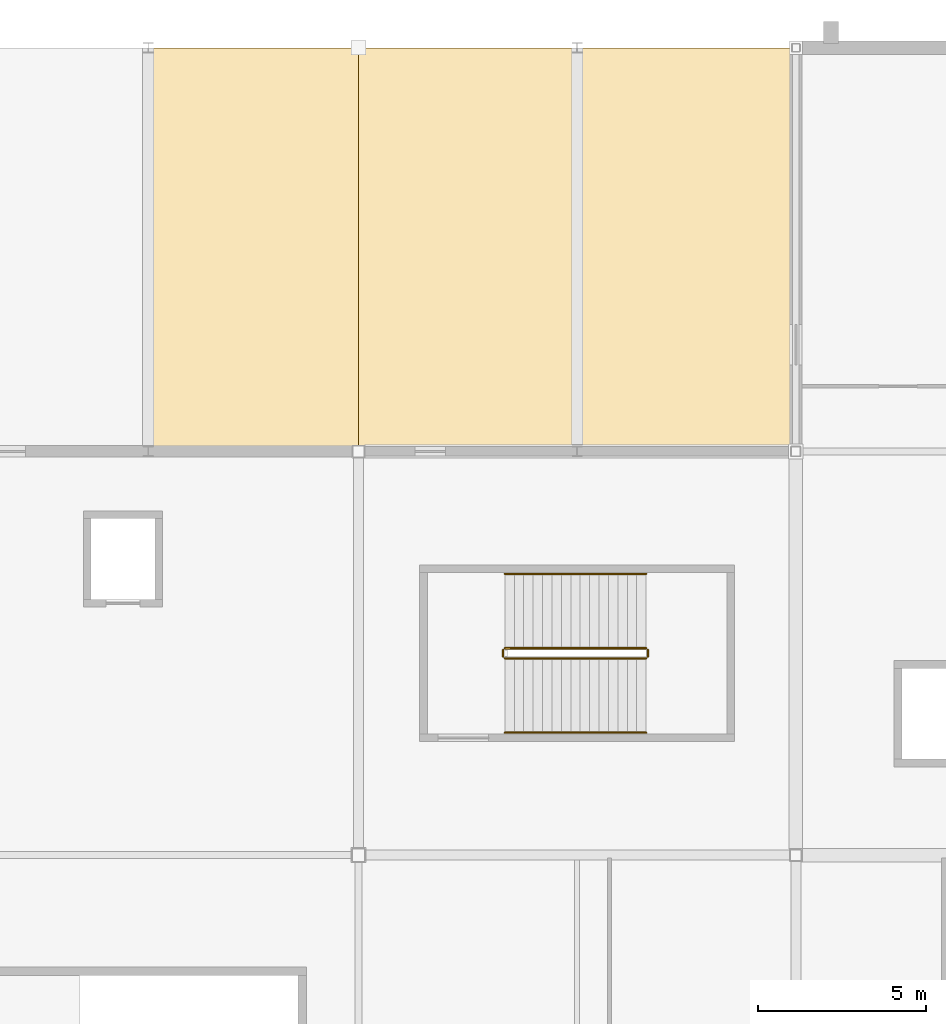
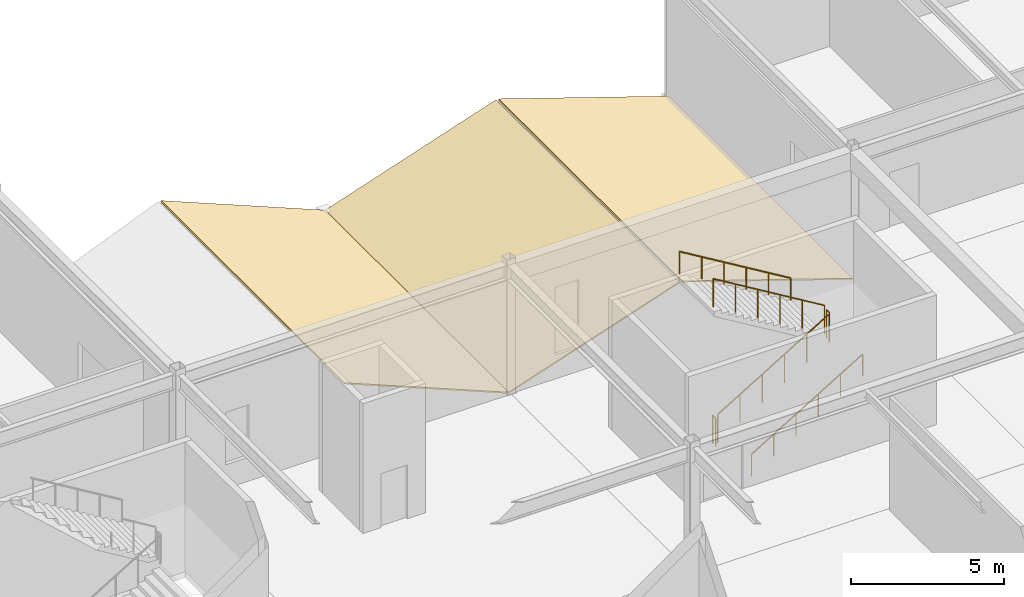
# One storey, part 103 of 105: 6 railings, 3 coverings.
"""IFC4 building model written with IfcOpenShell, lengths in metres."""

import ifcopenshell
import ifcopenshell.guid

model = None  # the IFC model being written
_history = None  # IfcOwnerHistory: only IFC2X3 demands one
_inside = {}  # id of a spatial element -> (the spatial element, [elements in it])
_under = {}  # id of a project, library or spatial element -> (it, [spatial elements below it])
_declared = {}  # id of a project -> (the project, [libraries it declares])
_typed = {}  # id of a type object -> (the type object, [elements of that type])
_made_of = {}  # id of a material, layer set ... -> (it, [elements and type objects made of it])


def new_model(schema):
    """Start an empty IFC model of exactly this schema.

    Asked for "IFC4X3", IfcOpenShell would pick the latest addendum, in which some entities
    have other attributes; the version numbers below select the first issue.
    IFC2X3 requires an IfcOwnerHistory on every rooted entity: one is made here for all.
    """
    global model, _history
    if schema == "IFC4X3":
        model = ifcopenshell.file(schema_version=(4, 3, 0, 0))
    else:
        model = ifcopenshell.file(schema=schema)
    _inside.clear()
    _under.clear()
    _declared.clear()
    _typed.clear()
    _made_of.clear()
    _history = None
    if model.schema == "IFC2X3":
        org = make("IfcOrganization", Name="unknown")
        user = make(
            "IfcPersonAndOrganization",
            ThePerson=make("IfcPerson", FamilyName="unknown"),
            TheOrganization=org,
        )
        app = make(
            "IfcApplication",
            ApplicationDeveloper=org,
            Version="unknown",
            ApplicationFullName="unknown",
            ApplicationIdentifier="unknown",
        )
        _history = make(
            "IfcOwnerHistory",
            OwningUser=user,
            OwningApplication=app,
            ChangeAction="ADDED",
            CreationDate=0,
        )
    return model


def make(cls, **values):
    """One entity of the class cls with the attributes given. An attribute that is None is left unset."""
    return model.create_entity(
        cls, **{name: value for name, value in values.items() if value is not None}
    )


def rooted(cls, **values):
    """An entity with a GlobalId (a new one), such as an element, a storey or a relation."""
    return make(cls, GlobalId=ifcopenshell.guid.new(), OwnerHistory=_history, **values)


def si_unit(unit_type, name, prefix=None):
    """IfcSIUnit, for example si_unit("LENGTHUNIT", "METRE", prefix="MILLI")."""
    return make("IfcSIUnit", UnitType=unit_type, Prefix=prefix, Name=name)


def assignment(units):
    """IfcUnitAssignment: the units of a project."""
    return None if units is None else make("IfcUnitAssignment", Units=units)


def point(xyz):
    """IfcCartesianPoint."""
    return None if xyz is None else make("IfcCartesianPoint", Coordinates=xyz)


def direction(xyz):
    """IfcDirection."""
    return None if xyz is None else make("IfcDirection", DirectionRatios=xyz)


def frame(location, z_axis=None, x_axis=None):
    """IfcAxis2Placement3D, a coordinate frame: its origin and axes. An axis left out is left unset."""
    return make(
        "IfcAxis2Placement3D",
        Location=point(location),
        Axis=direction(z_axis),
        RefDirection=direction(x_axis),
    )


def frame_2d(location, x_axis=None):
    """IfcAxis2Placement2D, a coordinate frame in the plane: its origin and x axis."""
    return make(
        "IfcAxis2Placement2D", Location=point(location), RefDirection=direction(x_axis)
    )


def origin():
    """The frame at (0, 0, 0) with its axes left unset."""
    return frame((0.0, 0.0, 0.0))


def origin_2d():
    """The frame at (0, 0) in the plane with its x axis left unset."""
    return frame_2d((0.0, 0.0))


def place(relative_to, where):
    """IfcLocalPlacement: puts the frame where relative to a parent placement (None: the world)."""
    return make(
        "IfcLocalPlacement", PlacementRelTo=relative_to, RelativePlacement=where
    )


def context(
    kind, dimensions, precision=None, world=None, true_north=None, identifier=None
):
    """IfcGeometricRepresentationContext, for example the 3D "Model" context."""
    return make(
        "IfcGeometricRepresentationContext",
        ContextIdentifier=identifier,
        ContextType=kind,
        CoordinateSpaceDimension=dimensions,
        Precision=precision,
        WorldCoordinateSystem=world,
        TrueNorth=true_north,
    )


def subcontext(parent, identifier, kind, view, scale=None):
    """IfcGeometricRepresentationSubContext, for example "Body" below "Model"."""
    return make(
        "IfcGeometricRepresentationSubContext",
        ContextIdentifier=identifier,
        ContextType=kind,
        ParentContext=parent,
        TargetScale=scale,
        TargetView=view,
    )


def project(units=None, contexts=None):
    """IfcProject with its units and contexts."""
    return rooted(
        "IfcProject",
        Name="project",
        RepresentationContexts=contexts,
        UnitsInContext=assignment(units),
    )


def spatial(cls, under=None, at=None, **own):
    """A site, building, storey or space (cls), placed at a placement, below another one or the project."""
    s = rooted(cls, ObjectPlacement=at, **own)
    if under is not None:
        _under.setdefault(under.id(), (under, []))[1].append(s)
    return s


def polyline(points):
    """IfcPolyline through the points."""
    return make("IfcPolyline", Points=[point(p) for p in points])


def profile(cls, at=None, kind="AREA", **sizes):
    """A parametric profile (cls). Its sizes go by their IFC names, for example OverallWidth=200.0."""
    return make(cls, ProfileType=kind, Position=at, **sizes)


def circle(**sizes):
    """IfcCircleProfileDef."""
    return profile("IfcCircleProfileDef", **sizes)


def outline(outer, holes=None, kind="AREA"):
    """IfcArbitraryClosedProfileDef: a profile drawn as a closed curve; with holes, ...WithVoids."""
    if holes is None:
        return make("IfcArbitraryClosedProfileDef", ProfileType=kind, OuterCurve=outer)
    return make(
        "IfcArbitraryProfileDefWithVoids",
        ProfileType=kind,
        OuterCurve=outer,
        InnerCurves=holes,
    )


def extrude(swept, where, along, depth):
    """IfcExtrudedAreaSolid: the profile swept, set in the frame where, extruded along a direction by depth."""
    return make(
        "IfcExtrudedAreaSolid",
        SweptArea=swept,
        Position=where,
        ExtrudedDirection=direction(along),
        Depth=depth,
    )


def shape(context_of_items, identifier, shape_type, items):
    """IfcShapeRepresentation: the items that make up one representation, for example the "Body"."""
    return make(
        "IfcShapeRepresentation",
        ContextOfItems=context_of_items,
        RepresentationIdentifier=identifier,
        RepresentationType=shape_type,
        Items=items,
    )


def material(Name=None, Category=None):
    """IfcMaterial."""
    return make("IfcMaterial", Name=Name, Category=Category)


def layer(
    of_material, thickness, ventilated=None, Name=None, Category=None, Priority=None
):
    """IfcMaterialLayer: one layer of a wall or slab, of a material (None: an air gap)."""
    return make(
        "IfcMaterialLayer",
        Material=of_material,
        LayerThickness=thickness,
        IsVentilated=ventilated,
        Name=Name,
        Category=Category,
        Priority=Priority,
    )


def layer_set(layers, Name=None):
    """IfcMaterialLayerSet."""
    return make("IfcMaterialLayerSet", MaterialLayers=layers, LayerSetName=Name)


def made_of(thing, what):
    """Note that an element or type object is made of a material, layer set ...; save() writes the relation."""
    if what is not None:
        _made_of.setdefault(what.id(), (what, []))[1].append(thing)
    return thing


def type_object(cls, material=None, **own):
    """A type object (cls), such as IfcWallType, which elements share."""
    return made_of(rooted(cls, **own), material)


def element(
    cls,
    number,
    at=None,
    inside=None,
    cuts=None,
    type_object=None,
    material=None,
    context=None,
    identifier="Body",
    shape_type=None,
    held_by="IfcProductDefinitionShape",
    body=None,
    shapes=None,
    **own,
):
    """One element of the class cls, such as IfcWall. Its Tag is "e" and its number.

    at: its placement. inside: the storey or other place that contains it. cuts: it is an
    opening in that element (IfcRelVoidsElement). A single representation is given by context,
    identifier, shape_type and body (its items); several are given by shapes. held_by: the class
    of the entity that holds the representations. save() writes the other relations.
    """
    e = rooted(cls, Tag="e%d" % number, ObjectPlacement=at, **own)
    if body is not None:
        shapes = [shape(context, identifier, shape_type, body)]
    if shapes is not None:
        e.Representation = make(held_by, Representations=shapes)
    if inside is not None:
        _inside.setdefault(inside.id(), (inside, []))[1].append(e)
    if cuts is not None:
        rooted(
            "IfcRelVoidsElement", RelatingBuildingElement=cuts, RelatedOpeningElement=e
        )
    if type_object is not None:
        _typed.setdefault(type_object.id(), (type_object, []))[1].append(e)
    return made_of(e, material)


def aggregate(whole, parts):
    """IfcRelAggregates: a whole, such as a stair, and the parts it consists of."""
    return rooted("IfcRelAggregates", RelatingObject=whole, RelatedObjects=parts)


def save(model, path):
    """Write the relations noted so far, then the file.

    IfcRelAggregates (storeys below a building ...), IfcRelContainedInSpatialStructure (elements
    in a storey), IfcRelDefinesByType, IfcRelAssociatesMaterial and IfcRelDeclares: one each for
    every whole, place, type object, material and project.
    """
    for whole, parts in _under.values():
        aggregate(whole, parts)
    for where, things in _inside.values():
        rooted(
            "IfcRelContainedInSpatialStructure",
            RelatedElements=things,
            RelatingStructure=where,
        )
    for kind, things in _typed.values():
        rooted("IfcRelDefinesByType", RelatedObjects=things, RelatingType=kind)
    for what, things in _made_of.values():
        rooted("IfcRelAssociatesMaterial", RelatedObjects=things, RelatingMaterial=what)
    for by, libraries in _declared.values():
        rooted("IfcRelDeclares", RelatingContext=by, RelatedDefinitions=libraries)
    model.write(path)


model = new_model("IFC4")

# Units and contexts
model_context = context("Model", 3, precision=1e-05, world=origin(), true_north=direction((0.0, 1.0)))
body_context = subcontext(model_context, "Body", "Model", "MODEL_VIEW")
ifc_project = project(units=[si_unit("LENGTHUNIT", "METRE"), si_unit("AREAUNIT", "SQUARE_METRE"), si_unit("VOLUMEUNIT", "CUBIC_METRE"), si_unit("PLANEANGLEUNIT", "RADIAN"), si_unit("MASSUNIT", "GRAM", prefix="KILO")], contexts=[model_context])

# Site, building, storey
site_placement = place(None, origin())
site = spatial("IfcSite", under=ifc_project, at=site_placement, CompositionType="ELEMENT")
building_placement = place(site_placement, origin())
building = spatial("IfcBuilding", under=site, at=building_placement, Name="Kazenohara Klinker Stadium", CompositionType="ELEMENT")
storey_placement = place(building_placement, frame((0.0, 0.0, 20.39990234375)))
storey = spatial("IfcBuildingStorey", under=building, at=storey_placement, Name="L04", CompositionType="ELEMENT", Elevation=20.39990234375)

# Coverings
ifc_material_1 = material(Name="Insulated standing-seam copper roofing", Category="metal")
ifc_layer_1 = layer(ifc_material_1, 0.050048828125)
ifc_layer_set_1 = layer_set([ifc_layer_1], Name="Insulated standing-seam copper roofing")
covering_type = type_object("IfcCoveringType", Name="COV-ROOF-01", PredefinedType="ROOFING", material=ifc_layer_set_1)
covering_placement = place(storey_placement, frame((92.800048828125, 156.0, 2.52001953125), z_axis=(0.380352293876, 0.0, 0.924841679718), x_axis=(0.924841679718, 0.0, -0.380352293876)))
element("IfcCovering", 1, at=covering_placement, inside=storey, type_object=covering_type, Name="Standing-seam copper stepped wing roofing L04-B 8/P", PredefinedType="ROOFING", context=body_context, shape_type="SweptSolid", body=[
    extrude(outline(polyline([(0.0, 0.0), (6.703797317791698, 0.0), (6.703797317791698, 12.0), (0.0, 12.0), (0.0, 0.0)])), origin(), (0.0, 0.0, -1.0), 0.050048828125),
])
for number, where, z_axis, x_axis, name in (
    (2, (99.0, 156.0, -0.02978515625), (-0.316216993217, 0.0, 0.948686888916), (0.948686888916, 0.0, 0.316216993217), "Standing-seam copper stepped wing roofing L04-A 9/P"),
    (3, (105.550048828125, 156.0, 2.1201171875), (0.316216993217, 0.0, 0.948686888916), (0.948686888916, 0.0, -0.316216993217), "Standing-seam copper stepped wing roofing L04-B 9/P"),
):
    element("IfcCovering", number, at=place(storey_placement, frame(where, z_axis=z_axis, x_axis=x_axis)), inside=storey, type_object=covering_type, Name=name, PredefinedType="ROOFING", context=body_context, shape_type="SweptSolid", body=[
        extrude(outline(polyline([(0.0, 0.0), (6.7988197657559235, 0.0), (6.7988197657559235, 12.0), (0.0, 12.0), (0.0, 0.0)])), origin(), (0.0, 0.0, -1.0), 0.050048828125),
    ])

# Railings
ifc_material_2 = material(Name="Brushed stainless steel 304 handrail", Category="steel")
ifc_layer_2 = layer(ifc_material_2, 0.050048828125)
ifc_layer_set_2 = layer_set([ifc_layer_2], Name="Brushed stainless steel 304 handrail")
railing_type_1 = type_object("IfcRailingType", Name="RL-HND-900", PredefinedType="HANDRAIL", material=ifc_layer_set_2)
railing_1_placement = place(storey_placement, frame((103.35009765625, 147.639892578125, 0.1689453125)))
element("IfcRailing", 4, at=railing_1_placement, inside=storey, type_object=railing_type_1, Name="L04 ST10 stair handrail 1", PredefinedType="HANDRAIL", context=body_context, shape_type="SweptSolid", body=[
    extrude(circle(Radius=0.02392578125, at=origin_2d()), frame((0.0, 0.0, 0.8759765625), z_axis=(0.856476492594, 0.0, 0.516186030065), x_axis=(0.0, 1.0, 0.0)), (0.0, 0.0, 1.0), 4.90380859375),
    extrude(circle(Radius=0.02099609375, at=origin_2d()), origin(), (0.0, 0.0, 1.0), 0.851806640625),
    extrude(circle(Radius=0.02099609375, at=origin_2d()), frame((0.840087890625, 0.0, 0.50634765625)), (0.0, 0.0, 1.0), 0.851806640625),
    extrude(circle(Radius=0.02099609375, at=origin_2d()), frame((1.679931640625, 0.0, 1.012451171875)), (0.0, 0.0, 1.0), 0.851806640625),
    extrude(circle(Radius=0.02099609375, at=origin_2d()), frame((2.52001953125, 0.0, 1.518798828125)), (0.0, 0.0, 1.0), 0.851806640625),
    extrude(circle(Radius=0.02099609375, at=origin_2d()), frame((3.35986328125, 0.0, 2.02490234375)), (0.0, 0.0, 1.0), 0.851806640625),
    extrude(circle(Radius=0.02099609375, at=origin_2d()), frame((4.199951171875, 0.0, 2.53125)), (0.0, 0.0, 1.0), 0.851806640625),
])
railing_2_placement = place(storey_placement, frame((107.550048828125, 152.360107421875, 2.868896484375)))
element("IfcRailing", 5, at=railing_2_placement, inside=storey, type_object=railing_type_1, Name="L04 ST10 stair handrail 2", PredefinedType="HANDRAIL", context=body_context, shape_type="SweptSolid", body=[
    extrude(circle(Radius=0.02392578125, at=origin_2d()), frame((0.0, 0.0, 0.8759765625), z_axis=(-0.856476492594, 0.0, 0.516186030065), x_axis=(0.0, -1.0, 0.0)), (0.0, 0.0, 1.0), 4.90380859375),
    extrude(circle(Radius=0.02099609375, at=origin_2d()), origin(), (0.0, 0.0, 1.0), 0.851806640625),
    extrude(circle(Radius=0.02099609375, at=origin_2d()), frame((-0.840087890625, 0.0, 0.50634765625)), (0.0, 0.0, 1.0), 0.851806640625),
    extrude(circle(Radius=0.02099609375, at=origin_2d()), frame((-1.679931640625, 0.0, 1.012451171875)), (0.0, 0.0, 1.0), 0.851806640625),
    extrude(circle(Radius=0.02099609375, at=origin_2d()), frame((-2.52001953125, 0.0, 1.518798828125)), (0.0, 0.0, 1.0), 0.851806640625),
    extrude(circle(Radius=0.02099609375, at=origin_2d()), frame((-3.35986328125, 0.0, 2.02490234375)), (0.0, 0.0, 1.0), 0.851806640625),
    extrude(circle(Radius=0.02099609375, at=origin_2d()), frame((-4.199951171875, 0.0, 2.53125)), (0.0, 0.0, 1.0), 0.851806640625),
])
ifc_material_3 = material(Name="Painted steel stairwell guardrail", Category="steel")
ifc_layer_3 = layer(ifc_material_3, 0.06005859375)
ifc_layer_set_3 = layer_set([ifc_layer_3], Name="Painted steel stairwell guardrail")
railing_type_2 = type_object("IfcRailingType", Name="RL-STG-1120", PredefinedType="GUARDRAIL", material=ifc_layer_set_3)
railing_3_placement = place(storey_placement, frame((103.35009765625, 149.85009765625, 0.1689453125)))
element("IfcRailing", 6, at=railing_3_placement, inside=storey, type_object=railing_type_2, Name="L04 ST10 stair guard 1", PredefinedType="GUARDRAIL", context=body_context, shape_type="SweptSolid", body=[
    extrude(circle(Radius=0.02392578125, at=origin_2d()), frame((0.0, 0.0, 1.1259765625), z_axis=(0.856476492594, 0.0, 0.516186030065), x_axis=(0.0, 1.0, 0.0)), (0.0, 0.0, 1.0), 4.90380859375),
    extrude(circle(Radius=0.02099609375, at=origin_2d()), origin(), (0.0, 0.0, 1.0), 1.101806640625),
    extrude(circle(Radius=0.02099609375, at=origin_2d()), frame((0.840087890625, 0.0, 0.50634765625)), (0.0, 0.0, 1.0), 1.101806640625),
    extrude(circle(Radius=0.02099609375, at=origin_2d()), frame((1.679931640625, 0.0, 1.012451171875)), (0.0, 0.0, 1.0), 1.101806640625),
    extrude(circle(Radius=0.02099609375, at=origin_2d()), frame((2.52001953125, 0.0, 1.518798828125)), (0.0, 0.0, 1.0), 1.101806640625),
    extrude(circle(Radius=0.02099609375, at=origin_2d()), frame((3.35986328125, 0.0, 2.02490234375)), (0.0, 0.0, 1.0), 1.101806640625),
    extrude(circle(Radius=0.02099609375, at=origin_2d()), frame((4.199951171875, 0.0, 2.53125)), (0.0, 0.0, 1.0), 1.101806640625),
])
railing_4_placement = place(storey_placement, frame((107.60009765625, 149.89990234375, 2.7001953125)))
element("IfcRailing", 7, at=railing_4_placement, inside=storey, type_object=railing_type_2, Name="L04 ST10 stair guard 2", PredefinedType="GUARDRAIL", context=body_context, shape_type="SweptSolid", body=[
    extrude(circle(Radius=0.02392578125, at=origin_2d()), frame((0.0, 0.0, 1.1259765625), z_axis=(0.0, 1.0, 0.0), x_axis=(-1.0, 0.0, 0.0)), (0.0, 0.0, 1.0), 0.2001953125),
    extrude(circle(Radius=0.02099609375, at=origin_2d()), origin(), (0.0, 0.0, 1.0), 1.101806640625),
    extrude(circle(Radius=0.02099609375, at=origin_2d()), frame((0.0, 0.2001953125, 0.0)), (0.0, 0.0, 1.0), 1.101806640625),
])
railing_5_placement = place(storey_placement, frame((107.550048828125, 150.14990234375, 2.868896484375)))
element("IfcRailing", 8, at=railing_5_placement, inside=storey, type_object=railing_type_2, Name="L04 ST10 stair guard 3", PredefinedType="GUARDRAIL", context=body_context, shape_type="SweptSolid", body=[
    extrude(circle(Radius=0.02392578125, at=origin_2d()), frame((0.0, 0.0, 1.1259765625), z_axis=(-0.856476492594, 0.0, 0.516186030065), x_axis=(0.0, -1.0, 0.0)), (0.0, 0.0, 1.0), 4.90380859375),
    extrude(circle(Radius=0.02099609375, at=origin_2d()), origin(), (0.0, 0.0, 1.0), 1.101806640625),
    extrude(circle(Radius=0.02099609375, at=origin_2d()), frame((-0.840087890625, 0.0, 0.50634765625)), (0.0, 0.0, 1.0), 1.101806640625),
    extrude(circle(Radius=0.02099609375, at=origin_2d()), frame((-1.679931640625, 0.0, 1.012451171875)), (0.0, 0.0, 1.0), 1.101806640625),
    extrude(circle(Radius=0.02099609375, at=origin_2d()), frame((-2.52001953125, 0.0, 1.518798828125)), (0.0, 0.0, 1.0), 1.101806640625),
    extrude(circle(Radius=0.02099609375, at=origin_2d()), frame((-3.35986328125, 0.0, 2.02490234375)), (0.0, 0.0, 1.0), 1.101806640625),
    extrude(circle(Radius=0.02099609375, at=origin_2d()), frame((-4.199951171875, 0.0, 2.53125)), (0.0, 0.0, 1.0), 1.101806640625),
])
railing_6_placement = place(storey_placement, frame((103.300048828125, 149.89990234375, 0.0)))
element("IfcRailing", 9, at=railing_6_placement, inside=storey, type_object=railing_type_2, Name="L04 ST10 stair guard 4", PredefinedType="GUARDRAIL", context=body_context, shape_type="SweptSolid", body=[
    extrude(circle(Radius=0.02392578125, at=origin_2d()), frame((0.0, 0.0, 1.1259765625), z_axis=(0.0, 1.0, 0.0), x_axis=(-1.0, 0.0, 0.0)), (0.0, 0.0, 1.0), 0.2001953125),
    extrude(circle(Radius=0.02099609375, at=origin_2d()), origin(), (0.0, 0.0, 1.0), 1.101806640625),
    extrude(circle(Radius=0.02099609375, at=origin_2d()), frame((0.0, 0.2001953125, 0.0)), (0.0, 0.0, 1.0), 1.101806640625),
])

save(model, "model.ifc")
